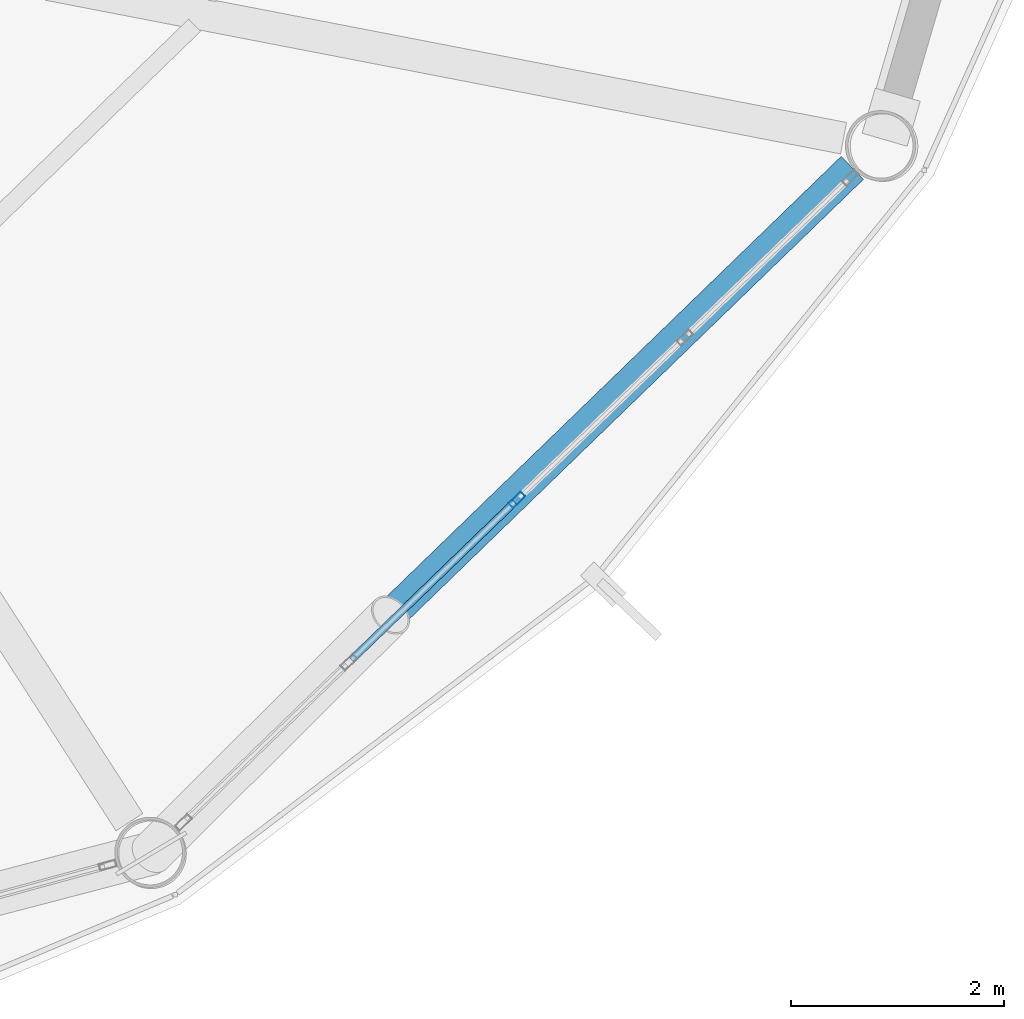
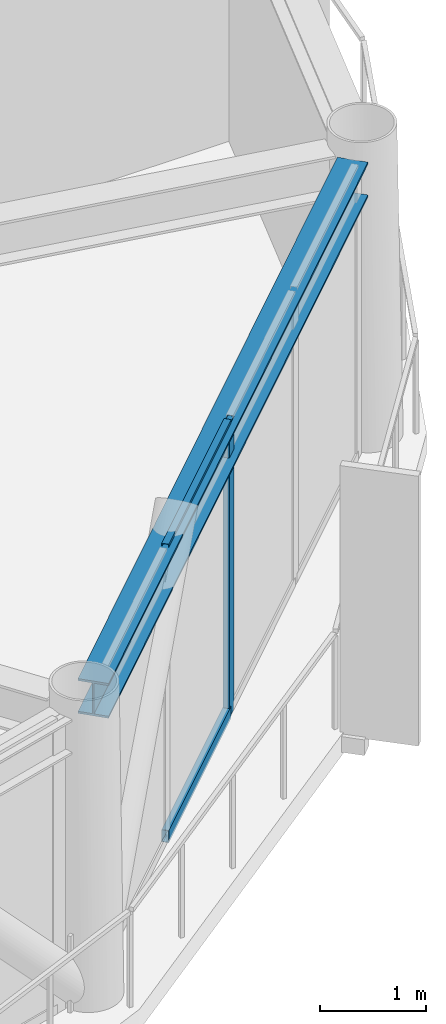
# One storey, part 9 of 28: 3 members, 1 beam, 1 element without a shape of its own.
"""IFC4 building model written with IfcOpenShell, lengths in metres."""

from ifc_helpers import new_model, si_unit, direction, frame, origin, origin_2d, place, context, subcontext, project, spatial, hollow_rectangle, i_section, extrude, material, layer, layer_set, material_profile, profile_set, type_object, element, aggregate, save


model = new_model("IFC4")

# Units and contexts
model_context = context("Model", 3, precision=1e-05, world=origin(), true_north=direction((0.0, 1.0)))
body_context = subcontext(model_context, "Body", "Model", "MODEL_VIEW")
ifc_project = project(units=[si_unit("LENGTHUNIT", "METRE"), si_unit("AREAUNIT", "SQUARE_METRE"), si_unit("VOLUMEUNIT", "CUBIC_METRE"), si_unit("PLANEANGLEUNIT", "RADIAN"), si_unit("MASSUNIT", "GRAM", prefix="KILO")], contexts=[model_context])

# Site, building, storey
site_placement = place(None, origin())
site = spatial("IfcSite", under=ifc_project, at=site_placement, CompositionType="ELEMENT")
building_placement = place(site_placement, origin())
building = spatial("IfcBuilding", under=site, at=building_placement, Name="Varnakorn Sky Granary", CompositionType="ELEMENT")
storey_placement = place(building_placement, frame((0.0, 0.0, 225.60009765625)))
storey = spatial("IfcBuildingStorey", under=building, at=storey_placement, Name="L57", CompositionType="ELEMENT", Elevation=225.60009765625)

# Beam
ifc_material_1 = material(Name="Steel S355JR", Category="steel")
ifc_material_profile_1 = material_profile(ifc_material_1, i_section(OverallWidth=0.300048828125, OverallDepth=0.39990234375, WebThickness=0.013427734375, FlangeThickness=0.02392578125, at=origin_2d()), Name="HE 400 B")
ifc_profile_set_1 = profile_set([ifc_material_profile_1], Name="Steel S355JR")
beam_type = type_object("IfcBeamType", Name="BM-SPD-Z4", PredefinedType="SPANDREL", material=ifc_profile_set_1)
beam_placement = place(storey_placement, frame((14.42578125, -15.4619140625, 3.159912109375), z_axis=(0.71838933823, 0.695641257199, 0.0), x_axis=(-0.695641257199, 0.71838933823, 0.0)))
element("IfcBeam", 1, at=beam_placement, inside=storey, type_object=beam_type, Name="Perimeter Spandrel Ring Beam RB11 L57", PredefinedType="SPANDREL", context=body_context, shape_type="SweptSolid", body=[
    extrude(i_section(OverallWidth=0.300048828125, OverallDepth=0.39990234375, WebThickness=0.013427734375, FlangeThickness=0.02392578125, at=origin_2d()), origin(), (0.0, 0.0, 1.0), 8.897216796875),
])

# Curtain wall, members
ifc_material_2 = material(Name="Anodised Bronze Aluminium Alloy 6063-T6", Category="aluminium")
ifc_layer = layer(ifc_material_2, 0.169921875, Name="Anodised Bronze Aluminium Alloy 6063-T6")
ifc_layer_set = layer_set([ifc_layer], Name="Anodised Bronze Aluminium Alloy 6063-T6")
curtain_wall_type = type_object("IfcCurtainWallType", Name="CW-LAB-1", PredefinedType="USERDEFINED", material=ifc_layer_set)
curtain_wall_placement = place(storey_placement, origin())
curtain_wall = element("IfcCurtainWall", 2, at=curtain_wall_placement, inside=storey, type_object=curtain_wall_type, Name="Unitised Curtain Wall CW5 CW-L57-B11", ObjectType="CURTAIN WALL", PredefinedType="USERDEFINED")
ifc_material_profile_2 = material_profile(ifc_material_2, hollow_rectangle(XDim=0.06494140625, YDim=0.159912109375, WallThickness=0.00341796875, at=origin_2d()), Name="ALU MULL 65x160")
ifc_profile_set_2 = profile_set([ifc_material_profile_2], Name="Anodised Bronze Aluminium Alloy 6063-T6")
member_type_1 = type_object("IfcMemberType", Name="CW-LAB-1-MULL", PredefinedType="MULLION", material=ifc_profile_set_2)
member_1_placement = place(storey_placement, frame((17.668212890625, -12.390625, 0.0), z_axis=(0.0, 0.0, 1.0), x_axis=(0.695009134591, -0.719000906004, 0.0)))
member_1 = element("IfcMember", 3, at=member_1_placement, type_object=member_type_1, Name="CW5 mullion 3", PredefinedType="MULLION", context=body_context, shape_type="SweptSolid", body=[
    extrude(hollow_rectangle(XDim=0.06494140625, YDim=0.159912109375, WallThickness=0.00341796875, at=origin_2d()), origin(), (0.0, 0.0, 1.0), 3.35986328125),
])
ifc_material_profile_3 = material_profile(ifc_material_2, hollow_rectangle(XDim=0.070068359375, YDim=0.139892578125, WallThickness=0.00341796875, at=origin_2d()), Name="ALU TRAN 70x140")
ifc_profile_set_3 = profile_set([ifc_material_profile_3], Name="Anodised Bronze Aluminium Alloy 6063-T6")
member_type_2 = type_object("IfcMemberType", Name="CW-LAB-1-TRAN", PredefinedType="USERDEFINED", material=ifc_profile_set_3)
member_2_placement = place(storey_placement, frame((17.644775390625, -12.4130859375, 0.034912109375), z_axis=(-0.719047600515, -0.694960824935, 0.0), x_axis=(0.694960824935, -0.719047600515, 0.0)))
member_2 = element("IfcMember", 4, at=member_2_placement, type_object=member_type_2, Name="CW5 transom 3.1", ObjectType="TRANSOM", PredefinedType="USERDEFINED", context=body_context, shape_type="SweptSolid", body=[
    extrude(hollow_rectangle(XDim=0.070068359375, YDim=0.139892578125, WallThickness=0.00341796875, at=origin_2d()), origin(), (0.0, 0.0, 1.0), 2.12841796875),
])
member_3_placement = place(storey_placement, frame((17.644775390625, -12.4130859375, 3.324951171875), z_axis=(-0.719047600515, -0.694960824935, 0.0), x_axis=(0.694960824935, -0.719047600515, 0.0)))
member_3 = element("IfcMember", 5, at=member_3_placement, type_object=member_type_2, Name="CW5 transom 3.2", ObjectType="TRANSOM", PredefinedType="USERDEFINED", context=body_context, shape_type="SweptSolid", body=[
    extrude(hollow_rectangle(XDim=0.070068359375, YDim=0.139892578125, WallThickness=0.00341796875, at=origin_2d()), origin(), (0.0, 0.0, 1.0), 2.12841796875),
])
aggregate(curtain_wall, [member_1, member_2, member_3])

save(model, "model.ifc")
